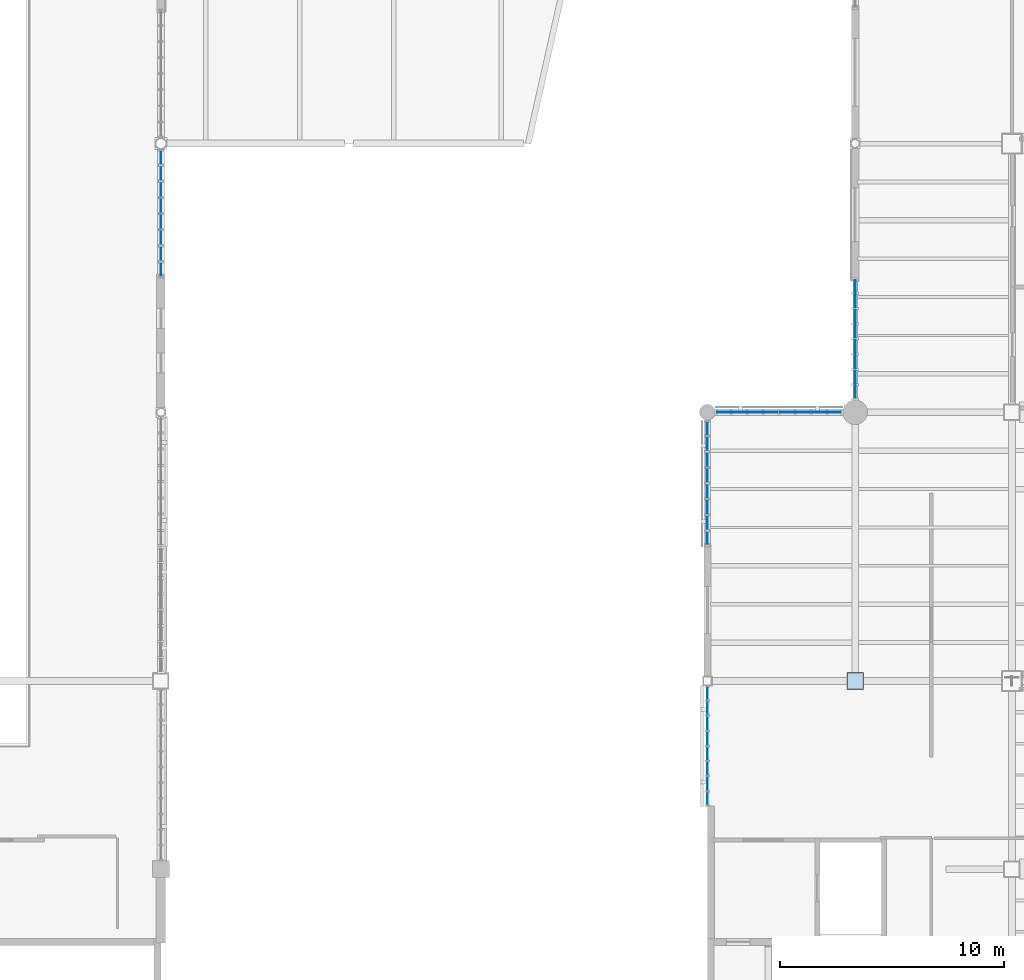
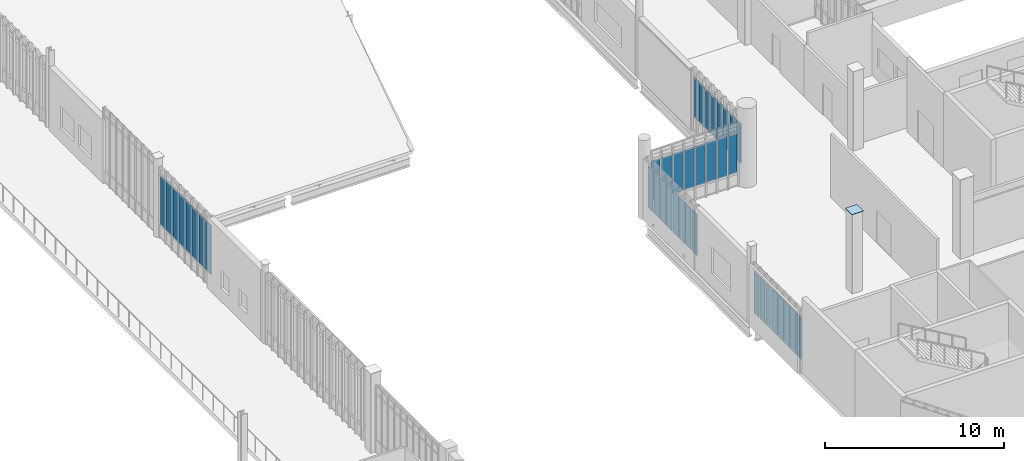
# One storey, part 77 of 135: 41 plates, 5 elements without a shape of their own.
"""IFC4 building model written with IfcOpenShell, lengths in metres."""

import ifcopenshell
import ifcopenshell.guid

model = None  # the IFC model being written
_history = None  # IfcOwnerHistory: only IFC2X3 demands one
_inside = {}  # id of a spatial element -> (the spatial element, [elements in it])
_under = {}  # id of a project, library or spatial element -> (it, [spatial elements below it])
_declared = {}  # id of a project -> (the project, [libraries it declares])
_typed = {}  # id of a type object -> (the type object, [elements of that type])
_made_of = {}  # id of a material, layer set ... -> (it, [elements and type objects made of it])


def new_model(schema):
    """Start an empty IFC model of exactly this schema.

    Asked for "IFC4X3", IfcOpenShell would pick the latest addendum, in which some entities
    have other attributes; the version numbers below select the first issue.
    IFC2X3 requires an IfcOwnerHistory on every rooted entity: one is made here for all.
    """
    global model, _history
    if schema == "IFC4X3":
        model = ifcopenshell.file(schema_version=(4, 3, 0, 0))
    else:
        model = ifcopenshell.file(schema=schema)
    _inside.clear()
    _under.clear()
    _declared.clear()
    _typed.clear()
    _made_of.clear()
    _history = None
    if model.schema == "IFC2X3":
        org = make("IfcOrganization", Name="unknown")
        user = make(
            "IfcPersonAndOrganization",
            ThePerson=make("IfcPerson", FamilyName="unknown"),
            TheOrganization=org,
        )
        app = make(
            "IfcApplication",
            ApplicationDeveloper=org,
            Version="unknown",
            ApplicationFullName="unknown",
            ApplicationIdentifier="unknown",
        )
        _history = make(
            "IfcOwnerHistory",
            OwningUser=user,
            OwningApplication=app,
            ChangeAction="ADDED",
            CreationDate=0,
        )
    return model


def make(cls, **values):
    """One entity of the class cls with the attributes given. An attribute that is None is left unset."""
    return model.create_entity(
        cls, **{name: value for name, value in values.items() if value is not None}
    )


def rooted(cls, **values):
    """An entity with a GlobalId (a new one), such as an element, a storey or a relation."""
    return make(cls, GlobalId=ifcopenshell.guid.new(), OwnerHistory=_history, **values)


def si_unit(unit_type, name, prefix=None):
    """IfcSIUnit, for example si_unit("LENGTHUNIT", "METRE", prefix="MILLI")."""
    return make("IfcSIUnit", UnitType=unit_type, Prefix=prefix, Name=name)


def assignment(units):
    """IfcUnitAssignment: the units of a project."""
    return None if units is None else make("IfcUnitAssignment", Units=units)


def point(xyz):
    """IfcCartesianPoint."""
    return None if xyz is None else make("IfcCartesianPoint", Coordinates=xyz)


def direction(xyz):
    """IfcDirection."""
    return None if xyz is None else make("IfcDirection", DirectionRatios=xyz)


def frame(location, z_axis=None, x_axis=None):
    """IfcAxis2Placement3D, a coordinate frame: its origin and axes. An axis left out is left unset."""
    return make(
        "IfcAxis2Placement3D",
        Location=point(location),
        Axis=direction(z_axis),
        RefDirection=direction(x_axis),
    )


def frame_2d(location, x_axis=None):
    """IfcAxis2Placement2D, a coordinate frame in the plane: its origin and x axis."""
    return make(
        "IfcAxis2Placement2D", Location=point(location), RefDirection=direction(x_axis)
    )


def origin():
    """The frame at (0, 0, 0) with its axes left unset."""
    return frame((0.0, 0.0, 0.0))


def origin_2d():
    """The frame at (0, 0) in the plane with its x axis left unset."""
    return frame_2d((0.0, 0.0))


def place(relative_to, where):
    """IfcLocalPlacement: puts the frame where relative to a parent placement (None: the world)."""
    return make(
        "IfcLocalPlacement", PlacementRelTo=relative_to, RelativePlacement=where
    )


def context(
    kind, dimensions, precision=None, world=None, true_north=None, identifier=None
):
    """IfcGeometricRepresentationContext, for example the 3D "Model" context."""
    return make(
        "IfcGeometricRepresentationContext",
        ContextIdentifier=identifier,
        ContextType=kind,
        CoordinateSpaceDimension=dimensions,
        Precision=precision,
        WorldCoordinateSystem=world,
        TrueNorth=true_north,
    )


def subcontext(parent, identifier, kind, view, scale=None):
    """IfcGeometricRepresentationSubContext, for example "Body" below "Model"."""
    return make(
        "IfcGeometricRepresentationSubContext",
        ContextIdentifier=identifier,
        ContextType=kind,
        ParentContext=parent,
        TargetScale=scale,
        TargetView=view,
    )


def project(units=None, contexts=None):
    """IfcProject with its units and contexts."""
    return rooted(
        "IfcProject",
        Name="project",
        RepresentationContexts=contexts,
        UnitsInContext=assignment(units),
    )


def spatial(cls, under=None, at=None, **own):
    """A site, building, storey or space (cls), placed at a placement, below another one or the project."""
    s = rooted(cls, ObjectPlacement=at, **own)
    if under is not None:
        _under.setdefault(under.id(), (under, []))[1].append(s)
    return s


def profile(cls, at=None, kind="AREA", **sizes):
    """A parametric profile (cls). Its sizes go by their IFC names, for example OverallWidth=200.0."""
    return make(cls, ProfileType=kind, Position=at, **sizes)


def rectangle(**sizes):
    """IfcRectangleProfileDef."""
    return profile("IfcRectangleProfileDef", **sizes)


def extrude(swept, where, along, depth):
    """IfcExtrudedAreaSolid: the profile swept, set in the frame where, extruded along a direction by depth."""
    return make(
        "IfcExtrudedAreaSolid",
        SweptArea=swept,
        Position=where,
        ExtrudedDirection=direction(along),
        Depth=depth,
    )


def shape(context_of_items, identifier, shape_type, items):
    """IfcShapeRepresentation: the items that make up one representation, for example the "Body"."""
    return make(
        "IfcShapeRepresentation",
        ContextOfItems=context_of_items,
        RepresentationIdentifier=identifier,
        RepresentationType=shape_type,
        Items=items,
    )


def material(Name=None, Category=None):
    """IfcMaterial."""
    return make("IfcMaterial", Name=Name, Category=Category)


def layer(
    of_material, thickness, ventilated=None, Name=None, Category=None, Priority=None
):
    """IfcMaterialLayer: one layer of a wall or slab, of a material (None: an air gap)."""
    return make(
        "IfcMaterialLayer",
        Material=of_material,
        LayerThickness=thickness,
        IsVentilated=ventilated,
        Name=Name,
        Category=Category,
        Priority=Priority,
    )


def layer_set(layers, Name=None):
    """IfcMaterialLayerSet."""
    return make("IfcMaterialLayerSet", MaterialLayers=layers, LayerSetName=Name)


def made_of(thing, what):
    """Note that an element or type object is made of a material, layer set ...; save() writes the relation."""
    if what is not None:
        _made_of.setdefault(what.id(), (what, []))[1].append(thing)
    return thing


def type_object(cls, material=None, **own):
    """A type object (cls), such as IfcWallType, which elements share."""
    return made_of(rooted(cls, **own), material)


def element(
    cls,
    number,
    at=None,
    inside=None,
    cuts=None,
    type_object=None,
    material=None,
    context=None,
    identifier="Body",
    shape_type=None,
    held_by="IfcProductDefinitionShape",
    body=None,
    shapes=None,
    **own,
):
    """One element of the class cls, such as IfcWall. Its Tag is "e" and its number.

    at: its placement. inside: the storey or other place that contains it. cuts: it is an
    opening in that element (IfcRelVoidsElement). A single representation is given by context,
    identifier, shape_type and body (its items); several are given by shapes. held_by: the class
    of the entity that holds the representations. save() writes the other relations.
    """
    e = rooted(cls, Tag="e%d" % number, ObjectPlacement=at, **own)
    if body is not None:
        shapes = [shape(context, identifier, shape_type, body)]
    if shapes is not None:
        e.Representation = make(held_by, Representations=shapes)
    if inside is not None:
        _inside.setdefault(inside.id(), (inside, []))[1].append(e)
    if cuts is not None:
        rooted(
            "IfcRelVoidsElement", RelatingBuildingElement=cuts, RelatedOpeningElement=e
        )
    if type_object is not None:
        _typed.setdefault(type_object.id(), (type_object, []))[1].append(e)
    return made_of(e, material)


def aggregate(whole, parts):
    """IfcRelAggregates: a whole, such as a stair, and the parts it consists of."""
    return rooted("IfcRelAggregates", RelatingObject=whole, RelatedObjects=parts)


def save(model, path):
    """Write the relations noted so far, then the file.

    IfcRelAggregates (storeys below a building ...), IfcRelContainedInSpatialStructure (elements
    in a storey), IfcRelDefinesByType, IfcRelAssociatesMaterial and IfcRelDeclares: one each for
    every whole, place, type object, material and project.
    """
    for whole, parts in _under.values():
        aggregate(whole, parts)
    for where, things in _inside.values():
        rooted(
            "IfcRelContainedInSpatialStructure",
            RelatedElements=things,
            RelatingStructure=where,
        )
    for kind, things in _typed.values():
        rooted("IfcRelDefinesByType", RelatedObjects=things, RelatingType=kind)
    for what, things in _made_of.values():
        rooted("IfcRelAssociatesMaterial", RelatedObjects=things, RelatingMaterial=what)
    for by, libraries in _declared.values():
        rooted("IfcRelDeclares", RelatingContext=by, RelatedDefinitions=libraries)
    model.write(path)


model = new_model("IFC4")

# Units and contexts
model_context = context("Model", 3, precision=1e-05, world=origin(), true_north=direction((0.0, 1.0)))
body_context = subcontext(model_context, "Body", "Model", "MODEL_VIEW")
ifc_project = project(units=[si_unit("LENGTHUNIT", "METRE"), si_unit("AREAUNIT", "SQUARE_METRE"), si_unit("VOLUMEUNIT", "CUBIC_METRE"), si_unit("PLANEANGLEUNIT", "RADIAN"), si_unit("MASSUNIT", "GRAM", prefix="KILO")], contexts=[model_context])

# Site, building, storey
site_placement = place(None, origin())
site = spatial("IfcSite", under=ifc_project, at=site_placement, CompositionType="ELEMENT")
building_placement = place(site_placement, origin())
building = spatial("IfcBuilding", under=site, at=building_placement, Name="Larkvane Passage Sports Hall", CompositionType="ELEMENT")
storey_placement = place(building_placement, frame((0.0, 0.0, 16.800048828125)))
storey = spatial("IfcBuildingStorey", under=building, at=storey_placement, Name="L03", CompositionType="ELEMENT", Elevation=16.800048828125)

# Curtain wall, plates
ifc_material_1 = material(Name="Thermally broken aluminium and low-E glazing", Category="aluminium")
curtain_wall_type_1 = type_object("IfcCurtainWallType", Name="CW-UNIT-COURT", PredefinedType="USERDEFINED", material=ifc_material_1)
curtain_wall_1_placement = place(storey_placement, origin())
curtain_wall_1 = element("IfcCurtainWall", 1, at=curtain_wall_1_placement, inside=storey, type_object=curtain_wall_type_1, Name="Curtain wall CW5-L03-120", ObjectType="UNITISED CURTAIN WALL", PredefinedType="USERDEFINED")
ifc_material_2 = material(Name="Solar-control low-E double glazing", Category="glass")
ifc_layer_1 = layer(ifc_material_2, 0.028076171875)
ifc_layer_set_1 = layer_set([ifc_layer_1], Name="Solar-control low-E double glazing")
plate_type_1 = type_object("IfcPlateType", Name="CWP-VIS-28", PredefinedType="CURTAIN_PANEL", material=ifc_layer_set_1)
plate_1_placement = place(storey_placement, frame((118.0, 34.35400390625, 0.88232421875), z_axis=(0.0, 0.0, 1.0), x_axis=(0.0, 1.0, 0.0)))
plate_1 = element("IfcPlate", 2, at=plate_1_placement, type_object=plate_type_1, Name="CW-01 panel 1.2", PredefinedType="CURTAIN_PANEL", context=body_context, shape_type="SweptSolid", body=[
    extrude(rectangle(XDim=0.577880859375, YDim=0.028076171875, at=origin_2d()), origin(), (0.0, 0.0, 1.0), 2.85107421875),
])
plate_2_placement = place(storey_placement, frame((118.0, 35.01318359375, 0.88232421875), z_axis=(0.0, 0.0, 1.0), x_axis=(0.0, 1.0, 0.0)))
plate_2 = element("IfcPlate", 3, at=plate_2_placement, type_object=plate_type_1, Name="CW-01 panel 2.2", PredefinedType="CURTAIN_PANEL", context=body_context, shape_type="SweptSolid", body=[
    extrude(rectangle(XDim=0.610595703125, YDim=0.028076171875, at=origin_2d()), origin(), (0.0, 0.0, 1.0), 2.85107421875),
])
plate_3_placement = place(storey_placement, frame((118.0, 35.688720703125, 0.88232421875), z_axis=(0.0, 0.0, 1.0), x_axis=(0.0, 1.0, 0.0)))
plate_3 = element("IfcPlate", 4, at=plate_3_placement, type_object=plate_type_1, Name="CW-01 panel 3.2", PredefinedType="CURTAIN_PANEL", context=body_context, shape_type="SweptSolid", body=[
    extrude(rectangle(XDim=0.610595703125, YDim=0.028076171875, at=origin_2d()), origin(), (0.0, 0.0, 1.0), 2.85107421875),
])
plate_4_placement = place(storey_placement, frame((118.0, 36.3642578125, 0.88232421875), z_axis=(0.0, 0.0, 1.0), x_axis=(0.0, 1.0, 0.0)))
plate_4 = element("IfcPlate", 5, at=plate_4_placement, type_object=plate_type_1, Name="CW-01 panel 4.2", PredefinedType="CURTAIN_PANEL", context=body_context, shape_type="SweptSolid", body=[
    extrude(rectangle(XDim=0.610595703125, YDim=0.028076171875, at=origin_2d()), origin(), (0.0, 0.0, 1.0), 2.85107421875),
])
plate_5_placement = place(storey_placement, frame((118.0, 37.039794921875, 0.88232421875), z_axis=(0.0, 0.0, 1.0), x_axis=(0.0, 1.0, 0.0)))
plate_5 = element("IfcPlate", 6, at=plate_5_placement, type_object=plate_type_1, Name="CW-01 panel 5.2", PredefinedType="CURTAIN_PANEL", context=body_context, shape_type="SweptSolid", body=[
    extrude(rectangle(XDim=0.610595703125, YDim=0.028076171875, at=origin_2d()), origin(), (0.0, 0.0, 1.0), 2.85107421875),
])
plate_6_placement = place(storey_placement, frame((118.0, 37.71533203125, 0.88232421875), z_axis=(0.0, 0.0, 1.0), x_axis=(0.0, 1.0, 0.0)))
plate_6 = element("IfcPlate", 7, at=plate_6_placement, type_object=plate_type_1, Name="CW-01 panel 6.2", PredefinedType="CURTAIN_PANEL", context=body_context, shape_type="SweptSolid", body=[
    extrude(rectangle(XDim=0.610595703125, YDim=0.028076171875, at=origin_2d()), origin(), (0.0, 0.0, 1.0), 2.85107421875),
])
plate_7_placement = place(storey_placement, frame((118.0, 38.390869140625, 0.88232421875), z_axis=(0.0, 0.0, 1.0), x_axis=(0.0, 1.0, 0.0)))
plate_7 = element("IfcPlate", 8, at=plate_7_placement, type_object=plate_type_1, Name="CW-01 panel 7.2", PredefinedType="CURTAIN_PANEL", context=body_context, shape_type="SweptSolid", body=[
    extrude(rectangle(XDim=0.610595703125, YDim=0.028076171875, at=origin_2d()), origin(), (0.0, 0.0, 1.0), 2.85107421875),
])
plate_8_placement = place(storey_placement, frame((118.0, 39.050048828125, 0.88232421875), z_axis=(0.0, 0.0, 1.0), x_axis=(0.0, 1.0, 0.0)))
plate_8 = element("IfcPlate", 9, at=plate_8_placement, type_object=plate_type_1, Name="CW-01 panel 8.2", PredefinedType="CURTAIN_PANEL", context=body_context, shape_type="SweptSolid", body=[
    extrude(rectangle(XDim=0.577880859375, YDim=0.028076171875, at=origin_2d()), origin(), (0.0, 0.0, 1.0), 2.85107421875),
])
aggregate(curtain_wall_1, [plate_1, plate_2, plate_3, plate_4, plate_5, plate_6, plate_7, plate_8])

curtain_wall_type_2 = type_object("IfcCurtainWallType", Name="CW-UNIT-VEIL", PredefinedType="USERDEFINED", material=ifc_material_1)
curtain_wall_2_placement = place(storey_placement, origin())
curtain_wall_2 = element("IfcCurtainWall", 10, at=curtain_wall_2_placement, inside=storey, type_object=curtain_wall_type_2, Name="Curtain wall CW5-L03-121", ObjectType="UNITISED CURTAIN WALL", PredefinedType="USERDEFINED")
ifc_material_3 = material(Name="Laminated acoustic low-E glazing", Category="glass")
ifc_layer_2 = layer(ifc_material_3, 0.031982421875)
ifc_layer_set_2 = layer_set([ifc_layer_2], Name="Laminated acoustic low-E glazing")
plate_type_2 = type_object("IfcPlateType", Name="CWP-VIS-32", PredefinedType="CURTAIN_PANEL", material=ifc_layer_set_2)
plate_9_placement = place(storey_placement, frame((118.0, 45.97216796875, 0.88720703125), z_axis=(0.0, 0.0, 1.0), x_axis=(0.0, 1.0, 0.0)))
plate_9 = element("IfcPlate", 11, at=plate_9_placement, type_object=plate_type_2, Name="CW-02 panel 1.2", PredefinedType="CURTAIN_PANEL", context=body_context, shape_type="SweptSolid", body=[
    extrude(rectangle(XDim=0.59423828125, YDim=0.031982421875, at=origin_2d()), origin(), (0.0, 0.0, 1.0), 2.841064453125),
])
plate_10_placement = place(storey_placement, frame((118.0, 46.66015625, 0.88720703125), z_axis=(0.0, 0.0, 1.0), x_axis=(0.0, 1.0, 0.0)))
plate_10 = element("IfcPlate", 12, at=plate_10_placement, type_object=plate_type_2, Name="CW-02 panel 2.2", PredefinedType="CURTAIN_PANEL", context=body_context, shape_type="SweptSolid", body=[
    extrude(rectangle(XDim=0.6318359375, YDim=0.031982421875, at=origin_2d()), origin(), (0.0, 0.0, 1.0), 2.841064453125),
])
plate_11_placement = place(storey_placement, frame((118.0, 47.366943359375, 0.88720703125), z_axis=(0.0, 0.0, 1.0), x_axis=(0.0, 1.0, 0.0)))
plate_11 = element("IfcPlate", 13, at=plate_11_placement, type_object=plate_type_2, Name="CW-02 panel 3.2", PredefinedType="CURTAIN_PANEL", context=body_context, shape_type="SweptSolid", body=[
    extrude(rectangle(XDim=0.6318359375, YDim=0.031982421875, at=origin_2d()), origin(), (0.0, 0.0, 1.0), 2.841064453125),
])
plate_12_placement = place(storey_placement, frame((118.0, 48.07373046875, 0.88720703125), z_axis=(0.0, 0.0, 1.0), x_axis=(0.0, 1.0, 0.0)))
plate_12 = element("IfcPlate", 14, at=plate_12_placement, type_object=plate_type_2, Name="CW-02 panel 4.2", PredefinedType="CURTAIN_PANEL", context=body_context, shape_type="SweptSolid", body=[
    extrude(rectangle(XDim=0.6318359375, YDim=0.031982421875, at=origin_2d()), origin(), (0.0, 0.0, 1.0), 2.841064453125),
])
plate_13_placement = place(storey_placement, frame((118.0, 48.7802734375, 0.88720703125), z_axis=(0.0, 0.0, 1.0), x_axis=(0.0, 1.0, 0.0)))
plate_13 = element("IfcPlate", 15, at=plate_13_placement, type_object=plate_type_2, Name="CW-02 panel 5.2", PredefinedType="CURTAIN_PANEL", context=body_context, shape_type="SweptSolid", body=[
    extrude(rectangle(XDim=0.6318359375, YDim=0.031982421875, at=origin_2d()), origin(), (0.0, 0.0, 1.0), 2.841064453125),
])
plate_14_placement = place(storey_placement, frame((118.0, 49.487060546875, 0.88720703125), z_axis=(0.0, 0.0, 1.0), x_axis=(0.0, 1.0, 0.0)))
plate_14 = element("IfcPlate", 16, at=plate_14_placement, type_object=plate_type_2, Name="CW-02 panel 6.2", PredefinedType="CURTAIN_PANEL", context=body_context, shape_type="SweptSolid", body=[
    extrude(rectangle(XDim=0.6318359375, YDim=0.031982421875, at=origin_2d()), origin(), (0.0, 0.0, 1.0), 2.841064453125),
])
plate_15_placement = place(storey_placement, frame((118.0, 50.19384765625, 0.88720703125), z_axis=(0.0, 0.0, 1.0), x_axis=(0.0, 1.0, 0.0)))
plate_15 = element("IfcPlate", 17, at=plate_15_placement, type_object=plate_type_2, Name="CW-02 panel 7.2", PredefinedType="CURTAIN_PANEL", context=body_context, shape_type="SweptSolid", body=[
    extrude(rectangle(XDim=0.6318359375, YDim=0.031982421875, at=origin_2d()), origin(), (0.0, 0.0, 1.0), 2.841064453125),
])
plate_16_placement = place(storey_placement, frame((118.0, 50.8818359375, 0.88720703125), z_axis=(0.0, 0.0, 1.0), x_axis=(0.0, 1.0, 0.0)))
plate_16 = element("IfcPlate", 18, at=plate_16_placement, type_object=plate_type_2, Name="CW-02 panel 8.2", PredefinedType="CURTAIN_PANEL", context=body_context, shape_type="SweptSolid", body=[
    extrude(rectangle(XDim=0.59423828125, YDim=0.031982421875, at=origin_2d()), origin(), (0.0, 0.0, 1.0), 2.841064453125),
])
aggregate(curtain_wall_2, [plate_9, plate_10, plate_11, plate_12, plate_13, plate_14, plate_15, plate_16])

curtain_wall_3_placement = place(storey_placement, origin())
curtain_wall_3 = element("IfcCurtainWall", 19, at=curtain_wall_3_placement, inside=storey, type_object=curtain_wall_type_2, Name="Curtain wall CW5-L03-145", ObjectType="UNITISED CURTAIN WALL", PredefinedType="USERDEFINED")
plate_17_placement = place(storey_placement, frame((93.60009765625, 62.971923828125, 0.8876953125), z_axis=(0.0, 0.0, 1.0), x_axis=(0.0, -1.0, 0.0)))
plate_17 = element("IfcPlate", 20, at=plate_17_placement, type_object=plate_type_2, Name="CW-02 panel 1.2", PredefinedType="CURTAIN_PANEL", context=body_context, shape_type="SweptSolid", body=[
    extrude(rectangle(XDim=0.606201171875, YDim=0.031982421875, at=origin_2d()), origin(), (0.0, 0.0, 1.0), 3.367919921875),
])
plate_18_placement = place(storey_placement, frame((93.60009765625, 62.27197265625, 0.8876953125), z_axis=(0.0, 0.0, 1.0), x_axis=(0.0, -1.0, 0.0)))
plate_18 = element("IfcPlate", 21, at=plate_18_placement, type_object=plate_type_2, Name="CW-02 panel 2.2", PredefinedType="CURTAIN_PANEL", context=body_context, shape_type="SweptSolid", body=[
    extrude(rectangle(XDim=0.643798828125, YDim=0.031982421875, at=origin_2d()), origin(), (0.0, 0.0, 1.0), 3.367919921875),
])
plate_19_placement = place(storey_placement, frame((93.60009765625, 61.55322265625, 0.8876953125), z_axis=(0.0, 0.0, 1.0), x_axis=(0.0, -1.0, 0.0)))
plate_19 = element("IfcPlate", 22, at=plate_19_placement, type_object=plate_type_2, Name="CW-02 panel 3.2", PredefinedType="CURTAIN_PANEL", context=body_context, shape_type="SweptSolid", body=[
    extrude(rectangle(XDim=0.643798828125, YDim=0.031982421875, at=origin_2d()), origin(), (0.0, 0.0, 1.0), 3.367919921875),
])
plate_20_placement = place(storey_placement, frame((93.60009765625, 60.83447265625, 0.8876953125), z_axis=(0.0, 0.0, 1.0), x_axis=(0.0, -1.0, 0.0)))
plate_20 = element("IfcPlate", 23, at=plate_20_placement, type_object=plate_type_2, Name="CW-02 panel 4.2", PredefinedType="CURTAIN_PANEL", context=body_context, shape_type="SweptSolid", body=[
    extrude(rectangle(XDim=0.643798828125, YDim=0.031982421875, at=origin_2d()), origin(), (0.0, 0.0, 1.0), 3.367919921875),
])
plate_21_placement = place(storey_placement, frame((93.60009765625, 60.11572265625, 0.8876953125), z_axis=(0.0, 0.0, 1.0), x_axis=(0.0, -1.0, 0.0)))
plate_21 = element("IfcPlate", 24, at=plate_21_placement, type_object=plate_type_2, Name="CW-02 panel 5.2", PredefinedType="CURTAIN_PANEL", context=body_context, shape_type="SweptSolid", body=[
    extrude(rectangle(XDim=0.643798828125, YDim=0.031982421875, at=origin_2d()), origin(), (0.0, 0.0, 1.0), 3.367919921875),
])
plate_22_placement = place(storey_placement, frame((93.60009765625, 59.39697265625, 0.8876953125), z_axis=(0.0, 0.0, 1.0), x_axis=(0.0, -1.0, 0.0)))
plate_22 = element("IfcPlate", 25, at=plate_22_placement, type_object=plate_type_2, Name="CW-02 panel 6.2", PredefinedType="CURTAIN_PANEL", context=body_context, shape_type="SweptSolid", body=[
    extrude(rectangle(XDim=0.643798828125, YDim=0.031982421875, at=origin_2d()), origin(), (0.0, 0.0, 1.0), 3.367919921875),
])
plate_23_placement = place(storey_placement, frame((93.60009765625, 58.67822265625, 0.8876953125), z_axis=(0.0, 0.0, 1.0), x_axis=(0.0, -1.0, 0.0)))
plate_23 = element("IfcPlate", 26, at=plate_23_placement, type_object=plate_type_2, Name="CW-02 panel 7.2", PredefinedType="CURTAIN_PANEL", context=body_context, shape_type="SweptSolid", body=[
    extrude(rectangle(XDim=0.643798828125, YDim=0.031982421875, at=origin_2d()), origin(), (0.0, 0.0, 1.0), 3.367919921875),
])
plate_24_placement = place(storey_placement, frame((93.60009765625, 57.97802734375, 0.8876953125), z_axis=(0.0, 0.0, 1.0), x_axis=(0.0, -1.0, 0.0)))
plate_24 = element("IfcPlate", 27, at=plate_24_placement, type_object=plate_type_2, Name="CW-02 panel 8.2", PredefinedType="CURTAIN_PANEL", context=body_context, shape_type="SweptSolid", body=[
    extrude(rectangle(XDim=0.606201171875, YDim=0.031982421875, at=origin_2d()), origin(), (0.0, 0.0, 1.0), 3.367919921875),
])
aggregate(curtain_wall_3, [plate_17, plate_18, plate_19, plate_20, plate_21, plate_22, plate_23, plate_24])

curtain_wall_type_3 = type_object("IfcCurtainWallType", Name="CW-STICK-FOYER", PredefinedType="USERDEFINED", material=ifc_material_1)
curtain_wall_4_placement = place(storey_placement, origin())
curtain_wall_4 = element("IfcCurtainWall", 28, at=curtain_wall_4_placement, inside=storey, type_object=curtain_wall_type_3, Name="Curtain wall CW5-L03-122", ObjectType="STICK CURTAIN WALL", PredefinedType="USERDEFINED")
ifc_material_4 = material(Name="High-impact court low-E glazing", Category="glass")
ifc_layer_3 = layer(ifc_material_4, 0.035888671875)
ifc_layer_set_3 = layer_set([ifc_layer_3], Name="High-impact court low-E glazing")
plate_type_3 = type_object("IfcPlateType", Name="CWP-VIS-36", PredefinedType="CURTAIN_PANEL", material=ifc_layer_set_3)
plate_25_placement = place(storey_placement, frame((118.725341796875, 51.60009765625, 0.89501953125), z_axis=(0.0, 0.0, 1.0), x_axis=(1.0, 0.0, 0.0)))
plate_25 = element("IfcPlate", 29, at=plate_25_placement, type_object=plate_type_3, Name="CW-03 panel 1.2", PredefinedType="CURTAIN_PANEL", context=body_context, shape_type="SweptSolid", body=[
    extrude(rectangle(XDim=0.57861328125, YDim=0.035888671875, at=origin_2d()), origin(), (0.0, 0.0, 1.0), 2.72607421875),
])
plate_26_placement = place(storey_placement, frame((119.416259765625, 51.60009765625, 0.89501953125), z_axis=(0.0, 0.0, 1.0), x_axis=(1.0, 0.0, 0.0)))
plate_26 = element("IfcPlate", 30, at=plate_26_placement, type_object=plate_type_3, Name="CW-03 panel 2.2", PredefinedType="CURTAIN_PANEL", context=body_context, shape_type="SweptSolid", body=[
    extrude(rectangle(XDim=0.62353515625, YDim=0.035888671875, at=origin_2d()), origin(), (0.0, 0.0, 1.0), 2.72607421875),
])
plate_27_placement = place(storey_placement, frame((120.129638671875, 51.60009765625, 0.89501953125), z_axis=(0.0, 0.0, 1.0), x_axis=(1.0, 0.0, 0.0)))
plate_27 = element("IfcPlate", 31, at=plate_27_placement, type_object=plate_type_3, Name="CW-03 panel 3.2", PredefinedType="CURTAIN_PANEL", context=body_context, shape_type="SweptSolid", body=[
    extrude(rectangle(XDim=0.62353515625, YDim=0.035888671875, at=origin_2d()), origin(), (0.0, 0.0, 1.0), 2.72607421875),
])
plate_28_placement = place(storey_placement, frame((120.84326171875, 51.60009765625, 0.89501953125), z_axis=(0.0, 0.0, 1.0), x_axis=(1.0, 0.0, 0.0)))
plate_28 = element("IfcPlate", 32, at=plate_28_placement, type_object=plate_type_3, Name="CW-03 panel 4.2", PredefinedType="CURTAIN_PANEL", context=body_context, shape_type="SweptSolid", body=[
    extrude(rectangle(XDim=0.62353515625, YDim=0.035888671875, at=origin_2d()), origin(), (0.0, 0.0, 1.0), 2.72607421875),
])
plate_29_placement = place(storey_placement, frame((121.556640625, 51.60009765625, 0.89501953125), z_axis=(0.0, 0.0, 1.0), x_axis=(1.0, 0.0, 0.0)))
plate_29 = element("IfcPlate", 33, at=plate_29_placement, type_object=plate_type_3, Name="CW-03 panel 5.2", PredefinedType="CURTAIN_PANEL", context=body_context, shape_type="SweptSolid", body=[
    extrude(rectangle(XDim=0.62353515625, YDim=0.035888671875, at=origin_2d()), origin(), (0.0, 0.0, 1.0), 2.72607421875),
])
plate_30_placement = place(storey_placement, frame((122.270263671875, 51.60009765625, 0.89501953125), z_axis=(0.0, 0.0, 1.0), x_axis=(1.0, 0.0, 0.0)))
plate_30 = element("IfcPlate", 34, at=plate_30_placement, type_object=plate_type_3, Name="CW-03 panel 6.2", PredefinedType="CURTAIN_PANEL", context=body_context, shape_type="SweptSolid", body=[
    extrude(rectangle(XDim=0.62353515625, YDim=0.035888671875, at=origin_2d()), origin(), (0.0, 0.0, 1.0), 2.72607421875),
])
plate_31_placement = place(storey_placement, frame((122.983642578125, 51.60009765625, 0.89501953125), z_axis=(0.0, 0.0, 1.0), x_axis=(1.0, 0.0, 0.0)))
plate_31 = element("IfcPlate", 35, at=plate_31_placement, type_object=plate_type_3, Name="CW-03 panel 7.2", PredefinedType="CURTAIN_PANEL", context=body_context, shape_type="SweptSolid", body=[
    extrude(rectangle(XDim=0.62353515625, YDim=0.035888671875, at=origin_2d()), origin(), (0.0, 0.0, 1.0), 2.72607421875),
])
plate_32_placement = place(storey_placement, frame((123.6748046875, 51.60009765625, 0.89501953125), z_axis=(0.0, 0.0, 1.0), x_axis=(1.0, 0.0, 0.0)))
plate_32 = element("IfcPlate", 36, at=plate_32_placement, type_object=plate_type_3, Name="CW-03 panel 8.2", PredefinedType="CURTAIN_PANEL", context=body_context, shape_type="SweptSolid", body=[
    extrude(rectangle(XDim=0.57861328125, YDim=0.035888671875, at=origin_2d()), origin(), (0.0, 0.0, 1.0), 2.72607421875),
])
aggregate(curtain_wall_4, [plate_25, plate_26, plate_27, plate_28, plate_29, plate_30, plate_31, plate_32])

curtain_wall_type_4 = type_object("IfcCurtainWallType", Name="CW-CLINIC", PredefinedType="USERDEFINED", material=ifc_material_1)
curtain_wall_5_placement = place(storey_placement, origin())
curtain_wall_5 = element("IfcCurtainWall", 37, at=curtain_wall_5_placement, inside=storey, type_object=curtain_wall_type_4, Name="Curtain wall CW5-L03-123", ObjectType="UNITISED CURTAIN WALL", PredefinedType="USERDEFINED")
ifc_material_5 = material(Name="Triple-laminated typhoon glazing", Category="glass")
ifc_layer_4 = layer(ifc_material_5, 0.0419921875)
ifc_layer_set_4 = layer_set([ifc_layer_4], Name="Triple-laminated typhoon glazing")
plate_type_4 = type_object("IfcPlateType", Name="CWP-VIS-42", PredefinedType="CURTAIN_PANEL", material=ifc_layer_set_4)
plate_33_placement = place(storey_placement, frame((124.60009765625, 52.511962890625, 0.89990234375), z_axis=(0.0, 0.0, 1.0), x_axis=(0.0, 1.0, 0.0)))
plate_33 = element("IfcPlate", 38, at=plate_33_placement, type_object=plate_type_4, Name="CW-05 panel 1.2", PredefinedType="CURTAIN_PANEL", context=body_context, shape_type="SweptSolid", body=[
    extrude(rectangle(XDim=0.53173828125, YDim=0.0419921875, at=origin_2d()), origin(), (0.0, 0.0, 1.0), 2.716064453125),
])
plate_34_placement = place(storey_placement, frame((124.60009765625, 53.168701171875, 0.89990234375), z_axis=(0.0, 0.0, 1.0), x_axis=(0.0, 1.0, 0.0)))
plate_34 = element("IfcPlate", 39, at=plate_34_placement, type_object=plate_type_4, Name="CW-05 panel 2.2", PredefinedType="CURTAIN_PANEL", context=body_context, shape_type="SweptSolid", body=[
    extrude(rectangle(XDim=0.581787109375, YDim=0.0419921875, at=origin_2d()), origin(), (0.0, 0.0, 1.0), 2.716064453125),
])
plate_35_placement = place(storey_placement, frame((124.60009765625, 53.850341796875, 0.89990234375), z_axis=(0.0, 0.0, 1.0), x_axis=(0.0, 1.0, 0.0)))
plate_35 = element("IfcPlate", 40, at=plate_35_placement, type_object=plate_type_4, Name="CW-05 panel 3.2", PredefinedType="CURTAIN_PANEL", context=body_context, shape_type="SweptSolid", body=[
    extrude(rectangle(XDim=0.581787109375, YDim=0.0419921875, at=origin_2d()), origin(), (0.0, 0.0, 1.0), 2.716064453125),
])
plate_36_placement = place(storey_placement, frame((124.60009765625, 54.5322265625, 0.89990234375), z_axis=(0.0, 0.0, 1.0), x_axis=(0.0, 1.0, 0.0)))
plate_36 = element("IfcPlate", 41, at=plate_36_placement, type_object=plate_type_4, Name="CW-05 panel 4.2", PredefinedType="CURTAIN_PANEL", context=body_context, shape_type="SweptSolid", body=[
    extrude(rectangle(XDim=0.581787109375, YDim=0.0419921875, at=origin_2d()), origin(), (0.0, 0.0, 1.0), 2.716064453125),
])
plate_37_placement = place(storey_placement, frame((124.60009765625, 55.2138671875, 0.89990234375), z_axis=(0.0, 0.0, 1.0), x_axis=(0.0, 1.0, 0.0)))
plate_37 = element("IfcPlate", 42, at=plate_37_placement, type_object=plate_type_4, Name="CW-05 panel 5.2", PredefinedType="CURTAIN_PANEL", context=body_context, shape_type="SweptSolid", body=[
    extrude(rectangle(XDim=0.581787109375, YDim=0.0419921875, at=origin_2d()), origin(), (0.0, 0.0, 1.0), 2.716064453125),
])
plate_38_placement = place(storey_placement, frame((124.60009765625, 55.8955078125, 0.89990234375), z_axis=(0.0, 0.0, 1.0), x_axis=(0.0, 1.0, 0.0)))
plate_38 = element("IfcPlate", 43, at=plate_38_placement, type_object=plate_type_4, Name="CW-05 panel 6.2", PredefinedType="CURTAIN_PANEL", context=body_context, shape_type="SweptSolid", body=[
    extrude(rectangle(XDim=0.581787109375, YDim=0.0419921875, at=origin_2d()), origin(), (0.0, 0.0, 1.0), 2.716064453125),
])
plate_39_placement = place(storey_placement, frame((124.60009765625, 56.577392578125, 0.89990234375), z_axis=(0.0, 0.0, 1.0), x_axis=(0.0, 1.0, 0.0)))
plate_39 = element("IfcPlate", 44, at=plate_39_placement, type_object=plate_type_4, Name="CW-05 panel 7.2", PredefinedType="CURTAIN_PANEL", context=body_context, shape_type="SweptSolid", body=[
    extrude(rectangle(XDim=0.581787109375, YDim=0.0419921875, at=origin_2d()), origin(), (0.0, 0.0, 1.0), 2.716064453125),
])
plate_40_placement = place(storey_placement, frame((124.60009765625, 57.234130859375, 0.89990234375), z_axis=(0.0, 0.0, 1.0), x_axis=(0.0, 1.0, 0.0)))
plate_40 = element("IfcPlate", 45, at=plate_40_placement, type_object=plate_type_4, Name="CW-05 panel 8.2", PredefinedType="CURTAIN_PANEL", context=body_context, shape_type="SweptSolid", body=[
    extrude(rectangle(XDim=0.53173828125, YDim=0.0419921875, at=origin_2d()), origin(), (0.0, 0.0, 1.0), 2.716064453125),
])
aggregate(curtain_wall_5, [plate_33, plate_34, plate_35, plate_36, plate_37, plate_38, plate_39, plate_40])

# Plate
ifc_material_6 = material(Name="Steel S460N", Category="steel")
ifc_layer_5 = layer(ifc_material_6, 0.028076171875)
ifc_layer_set_5 = layer_set([ifc_layer_5], Name="Steel S460N")
plate_type_5 = type_object("IfcPlateType", Name="PLT-CAP-28", PredefinedType="SHEET", material=ifc_layer_set_5)
plate_41_placement = place(storey_placement, frame((124.60009765625, 39.60009765625, 5.39990234375), z_axis=(0.0, 0.0, 1.0), x_axis=(1.0, 0.0, 0.0)))
element("IfcPlate", 46, at=plate_41_placement, inside=storey, type_object=plate_type_5, Name="Hollow section sealed end cap plate 0024", PredefinedType="SHEET", context=body_context, shape_type="SweptSolid", body=[
    extrude(rectangle(XDim=0.739990234375, YDim=0.739990234375, at=origin_2d()), origin(), (0.0, 0.0, 1.0), 0.028076171875),
])

save(model, "model.ifc")
